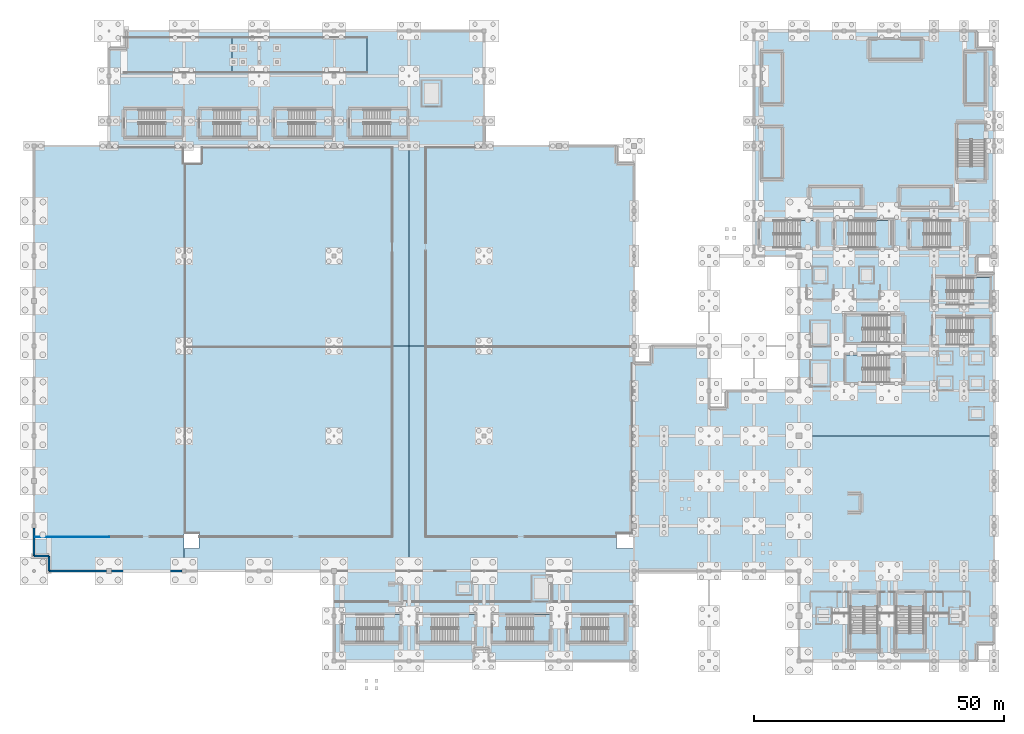
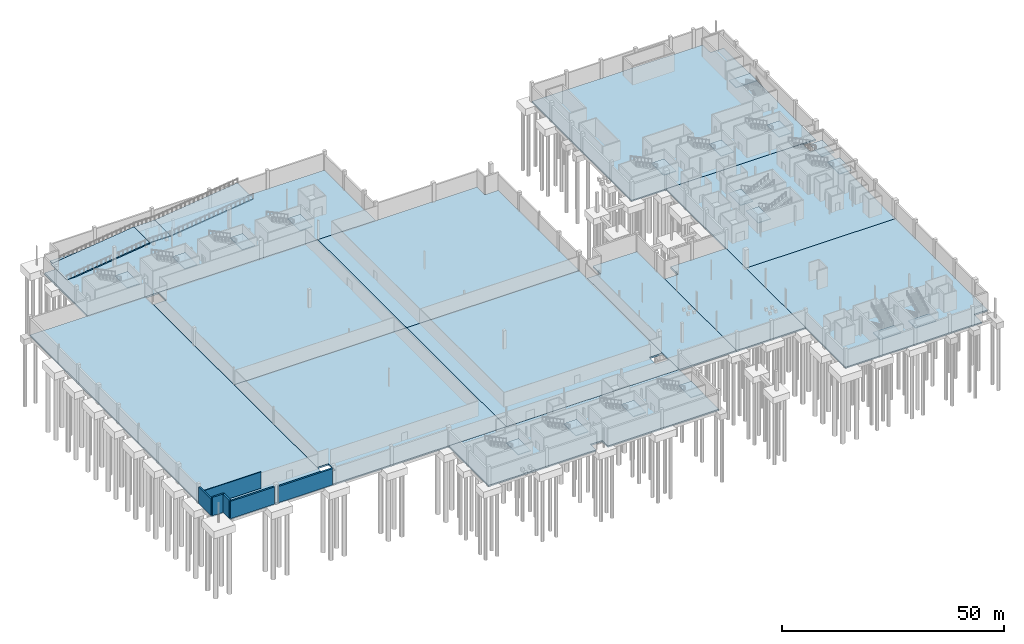
# One storey, part 37 of 58: 33 slabs, 6 walls, 18 elements without a shape of their own.
"""IFC4 building model written with IfcOpenShell, lengths in metres."""

from ifc_helpers import new_model, si_unit, direction, frame, frame_2d, origin, place, context, subcontext, project, spatial, polyline, rectangle, outline, extrude, material, layer, layer_set, type_object, element, aggregate, save


model = new_model("IFC4")

# Units and contexts
model_context = context("Model", 3, precision=1e-05, world=origin(), true_north=direction((0.0, 1.0)))
body_context = subcontext(model_context, "Body", "Model", "MODEL_VIEW")
ifc_project = project(units=[si_unit("LENGTHUNIT", "METRE"), si_unit("AREAUNIT", "SQUARE_METRE"), si_unit("VOLUMEUNIT", "CUBIC_METRE"), si_unit("PLANEANGLEUNIT", "RADIAN"), si_unit("MASSUNIT", "GRAM", prefix="KILO")], contexts=[model_context])

# Site, building, storey
site_placement = place(None, origin())
site = spatial("IfcSite", under=ifc_project, at=site_placement, CompositionType="ELEMENT")
building_placement = place(site_placement, origin())
building = spatial("IfcBuilding", under=site, at=building_placement, Name="Qamarlyn Nura Convention Centre", CompositionType="ELEMENT")
storey_placement = place(building_placement, frame((0.0, 0.0, -5.39990234375)))
storey = spatial("IfcBuildingStorey", under=building, at=storey_placement, Name="B01", CompositionType="ELEMENT", Elevation=-5.39990234375)

# Slabs
ifc_material_1 = material(Name="Concrete C40/50", Category="concrete")
ifc_layer_1 = layer(ifc_material_1, 0.449951171875, Name="SL-B01")
ifc_layer_set_1 = layer_set([ifc_layer_1], Name="Concrete C40/50")
slab_type_1 = type_object("IfcSlabType", Name="SL-B01", PredefinedType="BASESLAB", material=ifc_layer_set_1)
slab_1_placement = place(storey_placement, frame((0.0, 0.0, -0.4501953125)))
element("IfcSlab", 1, at=slab_1_placement, inside=storey, type_object=slab_type_1, Name="B01 floor slab B01-W0", PredefinedType="BASESLAB", context=body_context, shape_type="SweptSolid", body=[
    extrude(outline(polyline([(0.0, 103.0), (30.0, 103.0), (30.0, 18.0), (3.0, 18.0), (3.0, 21.0), (0.0, 21.0), (0.0, 103.0)])), origin(), (0.0, 0.0, 1.0), 0.4501953125),
])
slab_2_placement = place(storey_placement, frame((0.0, 0.0, -0.4501953125)))
element("IfcSlab", 2, at=slab_2_placement, inside=storey, type_object=slab_type_1, Name="B01 floor slab B01-W1", PredefinedType="BASESLAB", context=body_context, shape_type="SweptSolid", body=[
    extrude(outline(polyline([(30.0, 63.0), (75.0, 63.0), (75.0, 18.0), (30.0, 18.0), (30.0, 22.5), (33.0, 22.5), (33.0, 25.5), (30.0, 25.5), (30.0, 63.0)])), origin(), (0.0, 0.0, 1.0), 0.4501953125),
])
slab_3_placement = place(storey_placement, frame((0.0, 0.0, -0.4501953125)))
element("IfcSlab", 3, at=slab_3_placement, inside=storey, type_object=slab_type_1, Name="B01 floor slab B01-W2", PredefinedType="BASESLAB", context=body_context, shape_type="SweptSolid", body=[
    extrude(outline(polyline([(75.0, 103.0), (75.0, 63.0), (30.0, 63.0), (30.0, 99.5), (33.5, 99.5), (33.5, 103.0), (75.0, 103.0)])), origin(), (0.0, 0.0, 1.0), 0.4501953125),
])
slab_4_placement = place(storey_placement, frame((0.0, 0.0, -0.4501953125)))
element("IfcSlab", 4, at=slab_4_placement, inside=storey, type_object=slab_type_1, Name="B01 floor slab B01-W3", PredefinedType="BASESLAB", context=body_context, shape_type="SweptSolid", body=[
    extrude(outline(polyline([(120.0, 18.0), (75.0, 18.0), (75.0, 63.0), (120.0, 63.0), (120.0, 25.5), (116.5, 25.5), (116.5, 22.5), (120.0, 22.5), (120.0, 18.0)])), origin(), (0.0, 0.0, 1.0), 0.4501953125),
])
slab_5_placement = place(storey_placement, frame((0.0, 0.0, -0.4501953125)))
element("IfcSlab", 5, at=slab_5_placement, inside=storey, type_object=slab_type_1, Name="B01 floor slab B01-W4", PredefinedType="BASESLAB", context=body_context, shape_type="SweptSolid", body=[
    extrude(outline(polyline([(120.0, 63.0), (75.0, 63.0), (75.0, 103.0), (116.5, 103.0), (116.5, 99.5), (120.0, 99.5), (120.0, 63.0)])), origin(), (0.0, 0.0, 1.0), 0.4501953125),
])
slab_6_placement = place(storey_placement, frame((0.0, 0.0, -0.4501953125)))
element("IfcSlab", 6, at=slab_6_placement, inside=storey, type_object=slab_type_1, Name="B01 floor slab B01-SF", PredefinedType="BASESLAB", context=body_context, shape_type="SweptSolid", body=[
    extrude(outline(polyline([(60.0, 0.0), (60.0, 18.0), (120.0, 18.0), (120.0, 0.0), (91.0, 0.0), (91.0, 2.5), (88.0, 2.5), (88.0, 0.0), (60.0, 0.0)])), origin(), (0.0, 0.0, 1.0), 0.4501953125),
])
slab_7_placement = place(storey_placement, frame((0.0, 0.0, -0.4501953125)))
element("IfcSlab", 7, at=slab_7_placement, inside=storey, type_object=slab_type_1, Name="B01 floor slab B01-C1", PredefinedType="BASESLAB", context=body_context, shape_type="SweptSolid", body=[
    extrude(outline(polyline([(153.0, 54.0), (153.0, 18.0), (135.0, 18.0), (135.0, 50.5), (138.5, 50.5), (138.5, 54.0), (153.0, 54.0)])), origin(), (0.0, 0.0, 1.0), 0.4501953125),
])
ifc_layer_2 = layer(ifc_material_1, 0.39990234375, Name="SL-B01-CP")
ifc_layer_set_2 = layer_set([ifc_layer_2], Name="Concrete C40/50")
slab_type_2 = type_object("IfcSlabType", Name="SL-B01-CP", PredefinedType="BASESLAB", material=ifc_layer_set_2)
slab_8_placement = place(storey_placement, frame((0.0, 0.0, -0.400146484375)))
element("IfcSlab", 8, at=slab_8_placement, inside=storey, type_object=slab_type_2, Name="B01 floor slab B01-E1", PredefinedType="BASESLAB", context=body_context, shape_type="SweptSolid", body=[
    extrude(outline(polyline([(153.0, 0.0), (153.0, 45.0), (192.0, 45.0), (192.0, 3.5), (188.5, 3.5), (188.5, 0.0), (153.0, 0.0)])), origin(), (0.0, 0.0, 1.0), 0.400146484375),
])
slab_9_placement = place(storey_placement, frame((0.0, 0.0, -0.400146484375)))
element("IfcSlab", 9, at=slab_9_placement, inside=storey, type_object=slab_type_2, Name="B01 floor slab B01-E2", PredefinedType="BASESLAB", context=body_context, shape_type="SweptSolid", body=[
    extrude(outline(polyline([(192.0, 45.0), (153.0, 45.0), (153.0, 81.0), (188.5, 81.0), (188.5, 77.5), (192.0, 77.5), (192.0, 45.0)])), origin(), (0.0, 0.0, 1.0), 0.400146484375),
])
slab_10_placement = place(storey_placement, frame((0.0, 0.0, -0.400146484375)))
element("IfcSlab", 10, at=slab_10_placement, inside=storey, type_object=slab_type_2, Name="B01 floor slab B01-N1", PredefinedType="BASESLAB", context=body_context, shape_type="SweptSolid", body=[
    extrude(outline(polyline([(192.0, 81.0), (144.0, 81.0), (144.0, 126.0), (188.5, 126.0), (188.5, 122.5), (192.0, 122.5), (192.0, 81.0)])), origin(), (0.0, 0.0, 1.0), 0.400146484375),
])
ifc_layer_3 = layer(ifc_material_1, 0.419921875, Name="SL-B01-LK")
ifc_layer_set_3 = layer_set([ifc_layer_3], Name="Concrete C40/50")
slab_type_3 = type_object("IfcSlabType", Name="SL-B01-LK", PredefinedType="BASESLAB", material=ifc_layer_set_3)
slab_11_placement = place(storey_placement, frame((0.0, 0.0, -0.420166015625)))
element("IfcSlab", 11, at=slab_11_placement, inside=storey, type_object=slab_type_3, Name="B01 floor slab B01-LK", PredefinedType="BASESLAB", context=body_context, shape_type="SweptSolid", body=[
    extrude(outline(polyline([(135.0, 63.0), (135.0, 18.0), (120.0, 18.0), (120.0, 59.5), (123.5, 59.5), (123.5, 63.0), (135.0, 63.0)])), origin(), (0.0, 0.0, 1.0), 0.420166015625),
])
ifc_layer_4 = layer(ifc_material_1, 0.47998046875, Name="SL-B01-SY")
ifc_layer_set_4 = layer_set([ifc_layer_4], Name="Concrete C40/50")
slab_type_4 = type_object("IfcSlabType", Name="SL-B01-SY", PredefinedType="BASESLAB", material=ifc_layer_set_4)
slab_12_placement = place(storey_placement, frame((0.0, 0.0, -0.47998046875)))
element("IfcSlab", 12, at=slab_12_placement, inside=storey, type_object=slab_type_4, Name="B01 floor slab B01-SY", PredefinedType="BASESLAB", context=body_context, shape_type="SweptSolid", body=[
    extrude(outline(polyline([(90.0, 126.0), (90.0, 103.0), (15.0, 103.0), (15.0, 122.5), (18.5, 122.5), (18.5, 126.0), (90.0, 126.0)])), origin(), (0.0, 0.0, 1.0), 0.47998046875),
])

# Stair, slab
stair_type = type_object("IfcStairType", Name="STAIR-EXIT-54", PredefinedType="HALF_TURN_STAIR", material=ifc_material_1)
stair_1_placement = place(storey_placement, origin())
stair_1 = element("IfcStair", 13, at=stair_1_placement, inside=storey, type_object=stair_type, Name="B01 Enclosed exit stair ST-01", PredefinedType="HALF_TURN_STAIR")
ifc_layer_5 = layer(ifc_material_1, 0.199951171875, Name="SL-LAND-200")
ifc_layer_set_5 = layer_set([ifc_layer_5], Name="Concrete C40/50")
slab_type_5 = type_object("IfcSlabType", Name="SL-LAND-200", PredefinedType="LANDING", material=ifc_layer_set_5)
slab_13_placement = place(storey_placement, frame((0.0, 0.0, 2.5)))
slab_13 = element("IfcSlab", 14, at=slab_13_placement, type_object=slab_type_5, Name="ST-01 landing 1", PredefinedType="LANDING", context=body_context, shape_type="SweptSolid", body=[
    extrude(outline(polyline([(26.300048828125, 104.800048828125), (29.60009765625, 104.800048828125), (29.60009765625, 110.300048828125), (26.300048828125, 110.300048828125), (26.300048828125, 104.800048828125)])), origin(), (0.0, 0.0, 1.0), 0.199951171875),
])
aggregate(stair_1, [slab_13])

stair_2_placement = place(storey_placement, origin())
stair_2 = element("IfcStair", 15, at=stair_2_placement, inside=storey, type_object=stair_type, Name="B01 Enclosed exit stair ST-02", PredefinedType="HALF_TURN_STAIR")
slab_14_placement = place(storey_placement, frame((0.0, 0.0, 2.5)))
slab_14 = element("IfcSlab", 16, at=slab_14_placement, type_object=slab_type_5, Name="ST-02 landing 1", PredefinedType="LANDING", context=body_context, shape_type="SweptSolid", body=[
    extrude(outline(polyline([(41.300048828125, 104.800048828125), (44.60009765625, 104.800048828125), (44.60009765625, 110.300048828125), (41.300048828125, 110.300048828125), (41.300048828125, 104.800048828125)])), origin(), (0.0, 0.0, 1.0), 0.199951171875),
])
aggregate(stair_2, [slab_14])

stair_3_placement = place(storey_placement, origin())
stair_3 = element("IfcStair", 17, at=stair_3_placement, inside=storey, type_object=stair_type, Name="B01 Enclosed exit stair ST-03", PredefinedType="HALF_TURN_STAIR")
slab_15_placement = place(storey_placement, frame((0.0, 0.0, 2.5)))
slab_15 = element("IfcSlab", 18, at=slab_15_placement, type_object=slab_type_5, Name="ST-03 landing 1", PredefinedType="LANDING", context=body_context, shape_type="SweptSolid", body=[
    extrude(outline(polyline([(56.300048828125, 104.800048828125), (59.60009765625, 104.800048828125), (59.60009765625, 110.300048828125), (56.300048828125, 110.300048828125), (56.300048828125, 104.800048828125)])), origin(), (0.0, 0.0, 1.0), 0.199951171875),
])
aggregate(stair_3, [slab_15])

stair_4_placement = place(storey_placement, origin())
stair_4 = element("IfcStair", 19, at=stair_4_placement, inside=storey, type_object=stair_type, Name="B01 Enclosed exit stair ST-04", PredefinedType="HALF_TURN_STAIR")
slab_16_placement = place(storey_placement, frame((0.0, 0.0, 2.5)))
slab_16 = element("IfcSlab", 20, at=slab_16_placement, type_object=slab_type_5, Name="ST-04 landing 1", PredefinedType="LANDING", context=body_context, shape_type="SweptSolid", body=[
    extrude(outline(polyline([(71.300048828125, 104.800048828125), (74.60009765625, 104.800048828125), (74.60009765625, 110.300048828125), (71.300048828125, 110.300048828125), (71.300048828125, 104.800048828125)])), origin(), (0.0, 0.0, 1.0), 0.199951171875),
])
aggregate(stair_4, [slab_16])

stair_5_placement = place(storey_placement, origin())
stair_5 = element("IfcStair", 21, at=stair_5_placement, inside=storey, type_object=stair_type, Name="B01 Enclosed exit stair ST-05", PredefinedType="HALF_TURN_STAIR")
slab_17_placement = place(storey_placement, frame((0.0, 0.0, 2.5)))
slab_17 = element("IfcSlab", 22, at=slab_17_placement, type_object=slab_type_5, Name="ST-05 landing 1", PredefinedType="LANDING", context=body_context, shape_type="SweptSolid", body=[
    extrude(outline(polyline([(69.89990234375, 3.800048828125), (73.199951171875, 3.800048828125), (73.199951171875, 9.300048828125), (69.89990234375, 9.300048828125), (69.89990234375, 3.800048828125)])), origin(), (0.0, 0.0, 1.0), 0.199951171875),
])
aggregate(stair_5, [slab_17])

stair_6_placement = place(storey_placement, origin())
stair_6 = element("IfcStair", 23, at=stair_6_placement, inside=storey, type_object=stair_type, Name="B01 Enclosed exit stair ST-06", PredefinedType="HALF_TURN_STAIR")
slab_18_placement = place(storey_placement, frame((0.0, 0.0, 2.5)))
slab_18 = element("IfcSlab", 24, at=slab_18_placement, type_object=slab_type_5, Name="ST-06 landing 1", PredefinedType="LANDING", context=body_context, shape_type="SweptSolid", body=[
    extrude(outline(polyline([(84.89990234375, 3.800048828125), (88.199951171875, 3.800048828125), (88.199951171875, 9.300048828125), (84.89990234375, 9.300048828125), (84.89990234375, 3.800048828125)])), origin(), (0.0, 0.0, 1.0), 0.199951171875),
])
aggregate(stair_6, [slab_18])

stair_7_placement = place(storey_placement, origin())
stair_7 = element("IfcStair", 25, at=stair_7_placement, inside=storey, type_object=stair_type, Name="B01 Enclosed exit stair ST-07", PredefinedType="HALF_TURN_STAIR")
slab_19_placement = place(storey_placement, frame((0.0, 0.0, 2.5)))
slab_19 = element("IfcSlab", 26, at=slab_19_placement, type_object=slab_type_5, Name="ST-07 landing 1", PredefinedType="LANDING", context=body_context, shape_type="SweptSolid", body=[
    extrude(outline(polyline([(99.89990234375, 3.800048828125), (103.199951171875, 3.800048828125), (103.199951171875, 9.300048828125), (99.89990234375, 9.300048828125), (99.89990234375, 3.800048828125)])), origin(), (0.0, 0.0, 1.0), 0.199951171875),
])
aggregate(stair_7, [slab_19])

stair_8_placement = place(storey_placement, origin())
stair_8 = element("IfcStair", 27, at=stair_8_placement, inside=storey, type_object=stair_type, Name="B01 Enclosed exit stair ST-08", PredefinedType="HALF_TURN_STAIR")
slab_20_placement = place(storey_placement, frame((0.0, 0.0, 2.5)))
slab_20 = element("IfcSlab", 28, at=slab_20_placement, type_object=slab_type_5, Name="ST-08 landing 1", PredefinedType="LANDING", context=body_context, shape_type="SweptSolid", body=[
    extrude(outline(polyline([(114.89990234375, 3.800048828125), (118.199951171875, 3.800048828125), (118.199951171875, 9.300048828125), (114.89990234375, 9.300048828125), (114.89990234375, 3.800048828125)])), origin(), (0.0, 0.0, 1.0), 0.199951171875),
])
aggregate(stair_8, [slab_20])

stair_9_placement = place(storey_placement, origin())
stair_9 = element("IfcStair", 29, at=stair_9_placement, inside=storey, type_object=stair_type, Name="B01 Enclosed exit stair ST-09", PredefinedType="HALF_TURN_STAIR")
slab_21_placement = place(storey_placement, frame((0.0, 0.0, 2.5)))
slab_21 = element("IfcSlab", 30, at=slab_21_placement, type_object=slab_type_5, Name="ST-09 landing 1", PredefinedType="LANDING", context=body_context, shape_type="SweptSolid", body=[
    extrude(outline(polyline([(163.25, 5.5), (163.25, 2.199951171875), (168.75, 2.199951171875), (168.75, 5.5), (163.25, 5.5)])), origin(), (0.0, 0.0, 1.0), 0.199951171875),
])
aggregate(stair_9, [slab_21])

stair_10_placement = place(storey_placement, origin())
stair_10 = element("IfcStair", 31, at=stair_10_placement, inside=storey, type_object=stair_type, Name="B01 Enclosed exit stair ST-10", PredefinedType="HALF_TURN_STAIR")
slab_22_placement = place(storey_placement, frame((0.0, 0.0, 2.5)))
slab_22 = element("IfcSlab", 32, at=slab_22_placement, type_object=slab_type_5, Name="ST-10 landing 1", PredefinedType="LANDING", context=body_context, shape_type="SweptSolid", body=[
    extrude(outline(polyline([(172.449951171875, 5.5), (172.449951171875, 2.199951171875), (177.949951171875, 2.199951171875), (177.949951171875, 5.5), (172.449951171875, 5.5)])), origin(), (0.0, 0.0, 1.0), 0.199951171875),
])
aggregate(stair_10, [slab_22])

stair_11_placement = place(storey_placement, origin())
stair_11 = element("IfcStair", 33, at=stair_11_placement, inside=storey, type_object=stair_type, Name="B01 Enclosed exit stair ST-11", PredefinedType="HALF_TURN_STAIR")
slab_23_placement = place(storey_placement, frame((0.0, 0.0, 2.5)))
slab_23 = element("IfcSlab", 34, at=slab_23_placement, type_object=slab_type_5, Name="ST-11 landing 1", PredefinedType="LANDING", context=body_context, shape_type="SweptSolid", body=[
    extrude(outline(polyline([(165.699951171875, 61.199951171875), (162.39990234375, 61.199951171875), (162.39990234375, 55.699951171875), (165.699951171875, 55.699951171875), (165.699951171875, 61.199951171875)])), origin(), (0.0, 0.0, 1.0), 0.199951171875),
])
aggregate(stair_11, [slab_23])

stair_12_placement = place(storey_placement, origin())
stair_12 = element("IfcStair", 35, at=stair_12_placement, inside=storey, type_object=stair_type, Name="B01 Enclosed exit stair ST-12", PredefinedType="HALF_TURN_STAIR")
slab_24_placement = place(storey_placement, frame((0.0, 0.0, 2.5)))
slab_24 = element("IfcSlab", 36, at=slab_24_placement, type_object=slab_type_5, Name="ST-12 landing 1", PredefinedType="LANDING", context=body_context, shape_type="SweptSolid", body=[
    extrude(outline(polyline([(165.699951171875, 69.199951171875), (162.39990234375, 69.199951171875), (162.39990234375, 63.699951171875), (165.699951171875, 63.699951171875), (165.699951171875, 69.199951171875)])), origin(), (0.0, 0.0, 1.0), 0.199951171875),
])
aggregate(stair_12, [slab_24])

stair_13_placement = place(storey_placement, origin())
stair_13 = element("IfcStair", 37, at=stair_13_placement, inside=storey, type_object=stair_type, Name="B01 Enclosed exit stair ST-13", PredefinedType="HALF_TURN_STAIR")
slab_25_placement = place(storey_placement, frame((0.0, 0.0, 2.5)))
slab_25 = element("IfcSlab", 38, at=slab_25_placement, type_object=slab_type_5, Name="ST-13 landing 1", PredefinedType="LANDING", context=body_context, shape_type="SweptSolid", body=[
    extrude(outline(polyline([(187.89990234375, 63.199951171875), (191.199951171875, 63.199951171875), (191.199951171875, 68.699951171875), (187.89990234375, 68.699951171875), (187.89990234375, 63.199951171875)])), origin(), (0.0, 0.0, 1.0), 0.199951171875),
])
aggregate(stair_13, [slab_25])

stair_14_placement = place(storey_placement, origin())
stair_14 = element("IfcStair", 39, at=stair_14_placement, inside=storey, type_object=stair_type, Name="B01 Enclosed exit stair ST-14", PredefinedType="HALF_TURN_STAIR")
slab_26_placement = place(storey_placement, frame((0.0, 0.0, 2.5)))
slab_26 = element("IfcSlab", 40, at=slab_26_placement, type_object=slab_type_5, Name="ST-14 landing 1", PredefinedType="LANDING", context=body_context, shape_type="SweptSolid", body=[
    extrude(outline(polyline([(187.89990234375, 71.199951171875), (191.199951171875, 71.199951171875), (191.199951171875, 76.699951171875), (187.89990234375, 76.699951171875), (187.89990234375, 71.199951171875)])), origin(), (0.0, 0.0, 1.0), 0.199951171875),
])
aggregate(stair_14, [slab_26])

stair_15_placement = place(storey_placement, origin())
stair_15 = element("IfcStair", 41, at=stair_15_placement, inside=storey, type_object=stair_type, Name="B01 Enclosed exit stair ST-15", PredefinedType="HALF_TURN_STAIR")
slab_27_placement = place(storey_placement, frame((0.0, 0.0, 2.5)))
slab_27 = element("IfcSlab", 42, at=slab_27_placement, type_object=slab_type_5, Name="ST-15 landing 1", PredefinedType="LANDING", context=body_context, shape_type="SweptSolid", body=[
    extrude(outline(polyline([(153.300048828125, 82.64990234375), (156.60009765625, 82.64990234375), (156.60009765625, 88.14990234375), (153.300048828125, 88.14990234375), (153.300048828125, 82.64990234375)])), origin(), (0.0, 0.0, 1.0), 0.199951171875),
])
aggregate(stair_15, [slab_27])

stair_16_placement = place(storey_placement, origin())
stair_16 = element("IfcStair", 43, at=stair_16_placement, inside=storey, type_object=stair_type, Name="B01 Enclosed exit stair ST-16", PredefinedType="HALF_TURN_STAIR")
slab_28_placement = place(storey_placement, frame((0.0, 0.0, 2.5)))
slab_28 = element("IfcSlab", 44, at=slab_28_placement, type_object=slab_type_5, Name="ST-16 landing 1", PredefinedType="LANDING", context=body_context, shape_type="SweptSolid", body=[
    extrude(outline(polyline([(168.300048828125, 82.64990234375), (171.60009765625, 82.64990234375), (171.60009765625, 88.14990234375), (168.300048828125, 88.14990234375), (168.300048828125, 82.64990234375)])), origin(), (0.0, 0.0, 1.0), 0.199951171875),
])
aggregate(stair_16, [slab_28])

stair_17_placement = place(storey_placement, origin())
stair_17 = element("IfcStair", 45, at=stair_17_placement, inside=storey, type_object=stair_type, Name="B01 Enclosed exit stair ST-17", PredefinedType="HALF_TURN_STAIR")
slab_29_placement = place(storey_placement, frame((0.0, 0.0, 2.5)))
slab_29 = element("IfcSlab", 46, at=slab_29_placement, type_object=slab_type_5, Name="ST-17 landing 1", PredefinedType="LANDING", context=body_context, shape_type="SweptSolid", body=[
    extrude(outline(polyline([(183.300048828125, 82.64990234375), (186.60009765625, 82.64990234375), (186.60009765625, 88.14990234375), (183.300048828125, 88.14990234375), (183.300048828125, 82.64990234375)])), origin(), (0.0, 0.0, 1.0), 0.199951171875),
])
aggregate(stair_17, [slab_29])

stair_18_placement = place(storey_placement, origin())
stair_18 = element("IfcStair", 47, at=stair_18_placement, inside=storey, type_object=stair_type, Name="B01 Enclosed exit stair ST-18", PredefinedType="HALF_TURN_STAIR")
slab_30_placement = place(storey_placement, frame((0.0, 0.0, 2.5)))
slab_30 = element("IfcSlab", 48, at=slab_30_placement, type_object=slab_type_5, Name="ST-18 landing 1", PredefinedType="LANDING", context=body_context, shape_type="SweptSolid", body=[
    extrude(outline(polyline([(190.199951171875, 104.300048828125), (190.199951171875, 107.60009765625), (184.699951171875, 107.60009765625), (184.699951171875, 104.300048828125), (190.199951171875, 104.300048828125)])), origin(), (0.0, 0.0, 1.0), 0.199951171875),
])
aggregate(stair_18, [slab_30])

# Slabs
ifc_layer_6 = layer(ifc_material_1, 0.25, Name="SL-RLAND-250")
ifc_layer_set_6 = layer_set([ifc_layer_6], Name="Concrete C40/50")
slab_type_6 = type_object("IfcSlabType", Name="SL-RLAND-250", PredefinedType="LANDING", material=ifc_layer_set_6)
slab_31_placement = place(storey_placement, frame((0.0, 0.0, 2.449951171875)))
element("IfcSlab", 49, at=slab_31_placement, inside=storey, type_object=slab_type_6, Name="Car park vehicle ramp VR-01 landing 1", PredefinedType="LANDING", context=body_context, shape_type="SweptSolid", body=[
    extrude(outline(polyline([(39.60009765625, 117.60009765625), (45.0, 117.60009765625), (45.0, 124.800048828125), (39.60009765625, 124.800048828125), (39.60009765625, 117.60009765625)])), origin(), (0.0, 0.0, 1.0), 0.25),
])
ifc_layer_7 = layer(ifc_material_1, 0.300048828125, Name="SL-VRAMP-300")
ifc_layer_set_7 = layer_set([ifc_layer_7], Name="Concrete C40/50")
slab_type_7 = type_object("IfcSlabType", Name="SL-VRAMP-300", PredefinedType="USERDEFINED", material=ifc_layer_set_7)
for number, where, z_axis, x_axis, name in (
    (50, (18.0, 117.60009765625, 0.0), (-0.124031973856, 0.0, 0.992278221801), (0.992278221801, 0.0, 0.124031973856), "Car park vehicle ramp VR-01 flight 1"),
    (51, (45.0, 117.60009765625, 2.699951171875), (-0.124031973856, 0.0, 0.992278221801), (0.992278221801, 0.0, 0.124031973856), "Car park vehicle ramp VR-01 flight 2"),
):
    element("IfcSlab", number, at=place(storey_placement, frame(where, z_axis=z_axis, x_axis=x_axis)), inside=storey, type_object=slab_type_7, Name=name, ObjectType="VEHICLE RAMP SLAB", PredefinedType="USERDEFINED", context=body_context, shape_type="SweptSolid", body=[
        extrude(outline(polyline([(0.0, 0.0), (21.76818676624321, 0.0), (21.76818676624321, 7.199951171875), (0.0, 7.199951171875), (0.0, 0.0)])), origin(), (0.0, 0.0, -1.0), 0.300048828125),
    ])

# Walls
ifc_material_2 = material(Name="Fire-rated acoustic gypsum board EI 60")
ifc_layer_8 = layer(ifc_material_2, 0.159912109375, Name="WT-PART-160")
ifc_layer_set_8 = layer_set([ifc_layer_8], Name="Fire-rated acoustic gypsum board EI 60")
wall_type_1 = type_object("IfcWallType", Name="WT-PART-160", PredefinedType="PARTITIONING", material=ifc_layer_set_8)
wall_1_placement = place(storey_placement, frame((15.0, 24.800048828125, 0.0), z_axis=(0.0, 0.0, 1.0), x_axis=(-1.0, 0.0, 0.0)))
element("IfcWall", 52, at=wall_1_placement, inside=storey, type_object=wall_type_1, Name="B01 interior partition B01-STR-BLK0-20-1", PredefinedType="PARTITIONING", context=body_context, shape_type="SweptSolid", body=[
    extrude(rectangle(XDim=14.77490234375, YDim=0.159912109375, at=frame_2d((7.387451171875, 0.0))), origin(), (0.0, 0.0, 1.0), 4.495849609375),
])
ifc_layer_9 = layer(ifc_material_1, 0.419921875, Name="WT-RET-420")
ifc_layer_set_9 = layer_set([ifc_layer_9], Name="Concrete C40/50")
wall_type_2 = type_object("IfcWallType", Name="WT-RET-420", PredefinedType="USERDEFINED", material=ifc_layer_set_9)
wall_2_placement = place(storey_placement, frame((3.0, 21.0, 0.0), z_axis=(0.0, 0.0, 1.0), x_axis=(-1.0, 0.0, 0.0)))
element("IfcWall", 53, at=wall_2_placement, inside=storey, type_object=wall_type_2, Name="B01 perimeter retaining wall 02", ObjectType="RETAININGWALL", PredefinedType="USERDEFINED", context=body_context, shape_type="SweptSolid", body=[
    extrude(rectangle(XDim=3.0, YDim=0.419921875, at=frame_2d((1.5, 0.0))), origin(), (0.0, 0.0, 1.0), 5.0498046875),
])
wall_3_placement = place(storey_placement, frame((14.52490234375, 18.0, 0.0), z_axis=(0.0, 0.0, 1.0), x_axis=(-1.0, 0.0, 0.0)))
element("IfcWall", 54, at=wall_3_placement, inside=storey, type_object=wall_type_2, Name="B01 perimeter retaining wall 104", ObjectType="RETAININGWALL", PredefinedType="USERDEFINED", context=body_context, shape_type="SweptSolid", body=[
    extrude(rectangle(XDim=11.52490234375, YDim=0.419921875, at=frame_2d((5.762451171875, 0.0))), origin(), (0.0, 0.0, 1.0), 4.73486328125),
])
ifc_layer_10 = layer(ifc_material_1, 0.449951171875, Name="WT-RET-450")
ifc_layer_set_10 = layer_set([ifc_layer_10], Name="Concrete C40/50")
wall_type_3 = type_object("IfcWallType", Name="WT-RET-450", PredefinedType="USERDEFINED", material=ifc_layer_set_10)
wall_4_placement = place(storey_placement, frame((3.0, 18.0, 0.0), z_axis=(0.0, 0.0, 1.0), x_axis=(0.0, 1.0, 0.0)))
element("IfcWall", 55, at=wall_4_placement, inside=storey, type_object=wall_type_3, Name="B01 perimeter retaining wall 01", ObjectType="RETAININGWALL", PredefinedType="USERDEFINED", context=body_context, shape_type="SweptSolid", body=[
    extrude(rectangle(XDim=3.0, YDim=0.449951171875, at=frame_2d((1.5, 0.0))), origin(), (0.0, 0.0, 1.0), 5.0498046875),
])
wall_5_placement = place(storey_placement, frame((0.0, 21.0, 0.0), z_axis=(0.0, 0.0, 1.0), x_axis=(0.0, 1.0, 0.0)))
element("IfcWall", 56, at=wall_5_placement, inside=storey, type_object=wall_type_3, Name="B01 perimeter retaining wall 03", ObjectType="RETAININGWALL", PredefinedType="USERDEFINED", context=body_context, shape_type="SweptSolid", body=[
    extrude(rectangle(XDim=5.625, YDim=0.449951171875, at=frame_2d((2.8125, 0.0))), origin(), (0.0, 0.0, 1.0), 4.495849609375),
])
wall_6_placement = place(storey_placement, frame((29.625, 18.0, 0.0), z_axis=(0.0, 0.0, 1.0), x_axis=(-1.0, 0.0, 0.0)))
element("IfcWall", 57, at=wall_6_placement, inside=storey, type_object=wall_type_3, Name="B01 perimeter retaining wall 103", ObjectType="RETAININGWALL", PredefinedType="USERDEFINED", context=body_context, shape_type="SweptSolid", body=[
    extrude(rectangle(XDim=14.14990234375, YDim=0.449951171875, at=frame_2d((7.074951171875, 0.0))), origin(), (0.0, 0.0, 1.0), 4.495849609375),
])

save(model, "model.ifc")
